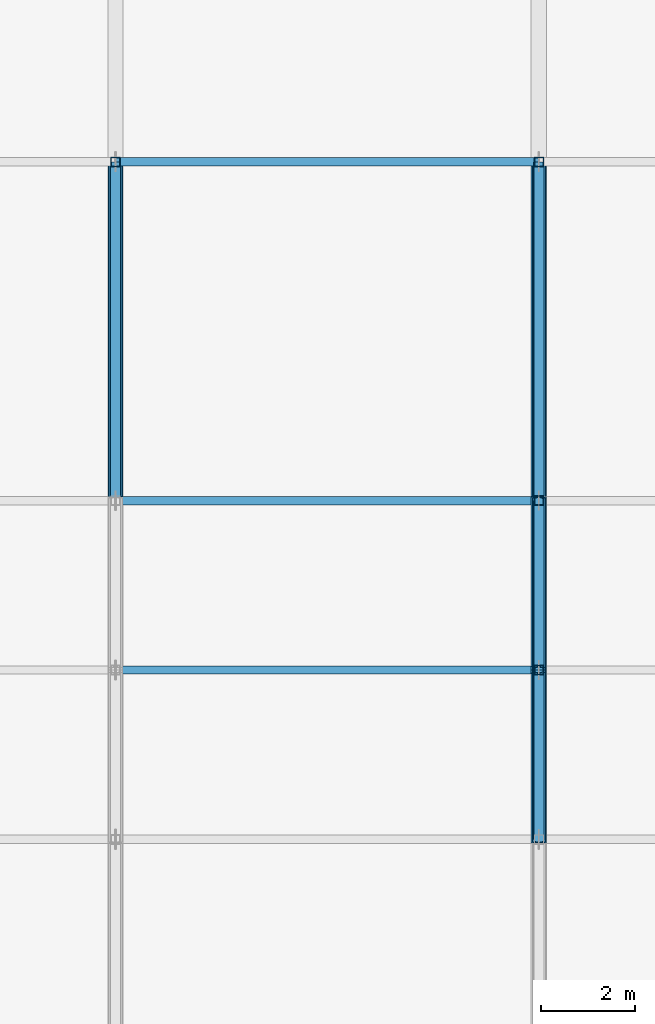
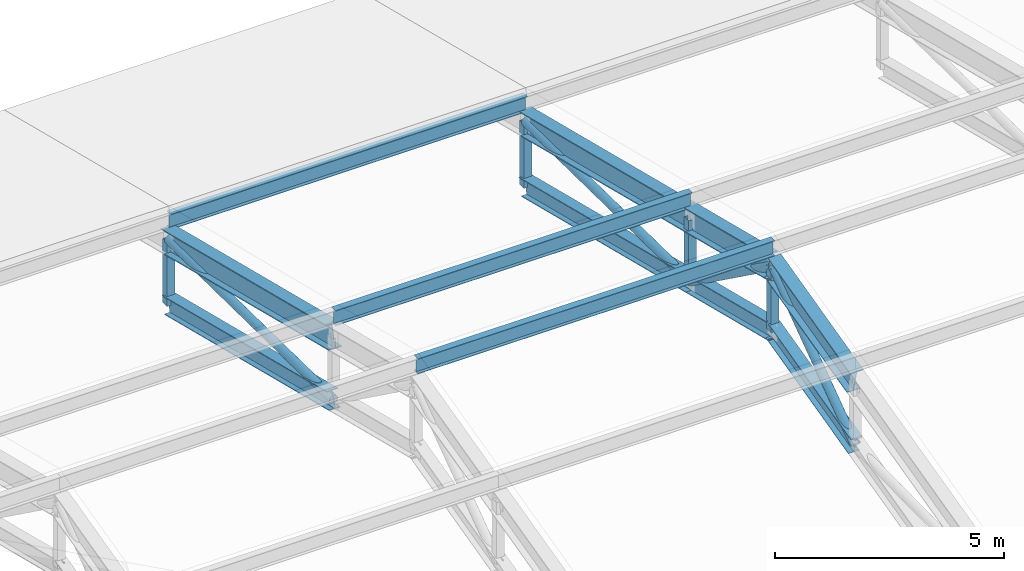
# One storey, part 41 of 124: 19 members.
"""IFC4 building model written with IfcOpenShell, lengths in metres."""

import ifcopenshell
import ifcopenshell.guid

model = None  # the IFC model being written
_history = None  # IfcOwnerHistory: only IFC2X3 demands one
_inside = {}  # id of a spatial element -> (the spatial element, [elements in it])
_under = {}  # id of a project, library or spatial element -> (it, [spatial elements below it])
_declared = {}  # id of a project -> (the project, [libraries it declares])
_typed = {}  # id of a type object -> (the type object, [elements of that type])
_made_of = {}  # id of a material, layer set ... -> (it, [elements and type objects made of it])


def new_model(schema):
    """Start an empty IFC model of exactly this schema.

    Asked for "IFC4X3", IfcOpenShell would pick the latest addendum, in which some entities
    have other attributes; the version numbers below select the first issue.
    IFC2X3 requires an IfcOwnerHistory on every rooted entity: one is made here for all.
    """
    global model, _history
    if schema == "IFC4X3":
        model = ifcopenshell.file(schema_version=(4, 3, 0, 0))
    else:
        model = ifcopenshell.file(schema=schema)
    _inside.clear()
    _under.clear()
    _declared.clear()
    _typed.clear()
    _made_of.clear()
    _history = None
    if model.schema == "IFC2X3":
        org = make("IfcOrganization", Name="unknown")
        user = make(
            "IfcPersonAndOrganization",
            ThePerson=make("IfcPerson", FamilyName="unknown"),
            TheOrganization=org,
        )
        app = make(
            "IfcApplication",
            ApplicationDeveloper=org,
            Version="unknown",
            ApplicationFullName="unknown",
            ApplicationIdentifier="unknown",
        )
        _history = make(
            "IfcOwnerHistory",
            OwningUser=user,
            OwningApplication=app,
            ChangeAction="ADDED",
            CreationDate=0,
        )
    return model


def make(cls, **values):
    """One entity of the class cls with the attributes given. An attribute that is None is left unset."""
    return model.create_entity(
        cls, **{name: value for name, value in values.items() if value is not None}
    )


def rooted(cls, **values):
    """An entity with a GlobalId (a new one), such as an element, a storey or a relation."""
    return make(cls, GlobalId=ifcopenshell.guid.new(), OwnerHistory=_history, **values)


def si_unit(unit_type, name, prefix=None):
    """IfcSIUnit, for example si_unit("LENGTHUNIT", "METRE", prefix="MILLI")."""
    return make("IfcSIUnit", UnitType=unit_type, Prefix=prefix, Name=name)


def assignment(units):
    """IfcUnitAssignment: the units of a project."""
    return None if units is None else make("IfcUnitAssignment", Units=units)


def point(xyz):
    """IfcCartesianPoint."""
    return None if xyz is None else make("IfcCartesianPoint", Coordinates=xyz)


def direction(xyz):
    """IfcDirection."""
    return None if xyz is None else make("IfcDirection", DirectionRatios=xyz)


def frame(location, z_axis=None, x_axis=None):
    """IfcAxis2Placement3D, a coordinate frame: its origin and axes. An axis left out is left unset."""
    return make(
        "IfcAxis2Placement3D",
        Location=point(location),
        Axis=direction(z_axis),
        RefDirection=direction(x_axis),
    )


def frame_2d(location, x_axis=None):
    """IfcAxis2Placement2D, a coordinate frame in the plane: its origin and x axis."""
    return make(
        "IfcAxis2Placement2D", Location=point(location), RefDirection=direction(x_axis)
    )


def origin():
    """The frame at (0, 0, 0) with its axes left unset."""
    return frame((0.0, 0.0, 0.0))


def origin_2d():
    """The frame at (0, 0) in the plane with its x axis left unset."""
    return frame_2d((0.0, 0.0))


def place(relative_to, where):
    """IfcLocalPlacement: puts the frame where relative to a parent placement (None: the world)."""
    return make(
        "IfcLocalPlacement", PlacementRelTo=relative_to, RelativePlacement=where
    )


def context(
    kind, dimensions, precision=None, world=None, true_north=None, identifier=None
):
    """IfcGeometricRepresentationContext, for example the 3D "Model" context."""
    return make(
        "IfcGeometricRepresentationContext",
        ContextIdentifier=identifier,
        ContextType=kind,
        CoordinateSpaceDimension=dimensions,
        Precision=precision,
        WorldCoordinateSystem=world,
        TrueNorth=true_north,
    )


def subcontext(parent, identifier, kind, view, scale=None):
    """IfcGeometricRepresentationSubContext, for example "Body" below "Model"."""
    return make(
        "IfcGeometricRepresentationSubContext",
        ContextIdentifier=identifier,
        ContextType=kind,
        ParentContext=parent,
        TargetScale=scale,
        TargetView=view,
    )


def project(units=None, contexts=None):
    """IfcProject with its units and contexts."""
    return rooted(
        "IfcProject",
        Name="project",
        RepresentationContexts=contexts,
        UnitsInContext=assignment(units),
    )


def spatial(cls, under=None, at=None, **own):
    """A site, building, storey or space (cls), placed at a placement, below another one or the project."""
    s = rooted(cls, ObjectPlacement=at, **own)
    if under is not None:
        _under.setdefault(under.id(), (under, []))[1].append(s)
    return s


def profile(cls, at=None, kind="AREA", **sizes):
    """A parametric profile (cls). Its sizes go by their IFC names, for example OverallWidth=200.0."""
    return make(cls, ProfileType=kind, Position=at, **sizes)


def hollow_rectangle(**sizes):
    """IfcRectangleHollowProfileDef."""
    return profile("IfcRectangleHollowProfileDef", **sizes)


def hollow_circle(**sizes):
    """IfcCircleHollowProfileDef."""
    return profile("IfcCircleHollowProfileDef", **sizes)


def i_section(**sizes):
    """IfcIShapeProfileDef."""
    return profile("IfcIShapeProfileDef", **sizes)


def extrude(swept, where, along, depth):
    """IfcExtrudedAreaSolid: the profile swept, set in the frame where, extruded along a direction by depth."""
    return make(
        "IfcExtrudedAreaSolid",
        SweptArea=swept,
        Position=where,
        ExtrudedDirection=direction(along),
        Depth=depth,
    )


def shape(context_of_items, identifier, shape_type, items):
    """IfcShapeRepresentation: the items that make up one representation, for example the "Body"."""
    return make(
        "IfcShapeRepresentation",
        ContextOfItems=context_of_items,
        RepresentationIdentifier=identifier,
        RepresentationType=shape_type,
        Items=items,
    )


def material(Name=None, Category=None):
    """IfcMaterial."""
    return make("IfcMaterial", Name=Name, Category=Category)


def material_profile(
    of_material, cross_section, Name=None, Category=None, Priority=None
):
    """IfcMaterialProfile: a cross section and its material."""
    return make(
        "IfcMaterialProfile",
        Name=Name,
        Material=of_material,
        Profile=cross_section,
        Priority=Priority,
        Category=Category,
    )


def profile_set(profiles, Name=None, composite=None):
    """IfcMaterialProfileSet."""
    return make(
        "IfcMaterialProfileSet",
        Name=Name,
        MaterialProfiles=profiles,
        CompositeProfile=composite,
    )


def made_of(thing, what):
    """Note that an element or type object is made of a material, layer set ...; save() writes the relation."""
    if what is not None:
        _made_of.setdefault(what.id(), (what, []))[1].append(thing)
    return thing


def type_object(cls, material=None, **own):
    """A type object (cls), such as IfcWallType, which elements share."""
    return made_of(rooted(cls, **own), material)


def element(
    cls,
    number,
    at=None,
    inside=None,
    cuts=None,
    type_object=None,
    material=None,
    context=None,
    identifier="Body",
    shape_type=None,
    held_by="IfcProductDefinitionShape",
    body=None,
    shapes=None,
    **own,
):
    """One element of the class cls, such as IfcWall. Its Tag is "e" and its number.

    at: its placement. inside: the storey or other place that contains it. cuts: it is an
    opening in that element (IfcRelVoidsElement). A single representation is given by context,
    identifier, shape_type and body (its items); several are given by shapes. held_by: the class
    of the entity that holds the representations. save() writes the other relations.
    """
    e = rooted(cls, Tag="e%d" % number, ObjectPlacement=at, **own)
    if body is not None:
        shapes = [shape(context, identifier, shape_type, body)]
    if shapes is not None:
        e.Representation = make(held_by, Representations=shapes)
    if inside is not None:
        _inside.setdefault(inside.id(), (inside, []))[1].append(e)
    if cuts is not None:
        rooted(
            "IfcRelVoidsElement", RelatingBuildingElement=cuts, RelatedOpeningElement=e
        )
    if type_object is not None:
        _typed.setdefault(type_object.id(), (type_object, []))[1].append(e)
    return made_of(e, material)


def aggregate(whole, parts):
    """IfcRelAggregates: a whole, such as a stair, and the parts it consists of."""
    return rooted("IfcRelAggregates", RelatingObject=whole, RelatedObjects=parts)


def save(model, path):
    """Write the relations noted so far, then the file.

    IfcRelAggregates (storeys below a building ...), IfcRelContainedInSpatialStructure (elements
    in a storey), IfcRelDefinesByType, IfcRelAssociatesMaterial and IfcRelDeclares: one each for
    every whole, place, type object, material and project.
    """
    for whole, parts in _under.values():
        aggregate(whole, parts)
    for where, things in _inside.values():
        rooted(
            "IfcRelContainedInSpatialStructure",
            RelatedElements=things,
            RelatingStructure=where,
        )
    for kind, things in _typed.values():
        rooted("IfcRelDefinesByType", RelatedObjects=things, RelatingType=kind)
    for what, things in _made_of.values():
        rooted("IfcRelAssociatesMaterial", RelatedObjects=things, RelatingMaterial=what)
    for by, libraries in _declared.values():
        rooted("IfcRelDeclares", RelatingContext=by, RelatedDefinitions=libraries)
    model.write(path)


model = new_model("IFC4")

# Units and contexts
model_context = context("Model", 3, precision=1e-05, world=origin(), true_north=direction((0.0, 1.0)))
body_context = subcontext(model_context, "Body", "Model", "MODEL_VIEW")
ifc_project = project(units=[si_unit("LENGTHUNIT", "METRE"), si_unit("AREAUNIT", "SQUARE_METRE"), si_unit("VOLUMEUNIT", "CUBIC_METRE"), si_unit("PLANEANGLEUNIT", "RADIAN"), si_unit("MASSUNIT", "GRAM", prefix="KILO")], contexts=[model_context])

# Site, building, storey
site_placement = place(None, origin())
site = spatial("IfcSite", under=ifc_project, at=site_placement, CompositionType="ELEMENT")
building_placement = place(site_placement, origin())
building = spatial("IfcBuilding", under=site, at=building_placement, Name="Celestram Park Convention Centre", CompositionType="ELEMENT")
storey_placement = place(building_placement, frame((0.0, 0.0, 15.300048828125)))
storey = spatial("IfcBuildingStorey", under=building, at=storey_placement, Name="L03", CompositionType="ELEMENT", Elevation=15.300048828125)

# Members
ifc_material_1 = material(Name="Steel ASTM A500 Grade C", Category="steel")
ifc_material_profile_1 = material_profile(ifc_material_1, hollow_circle(Radius=0.109619140625, WallThickness=0.008056640625, at=origin_2d()), Name="CHS219X8")
ifc_profile_set_1 = profile_set([ifc_material_profile_1], Name="Steel ASTM A500 Grade C")
member_type_1 = type_object("IfcMemberType", Name="STR-BRC-CHS219", PredefinedType="BRACE", material=ifc_profile_set_1)
member_1_placement = place(storey_placement, frame((180.0, 21.60009765625, 1.008056640625), z_axis=(0.0, 0.999903373607, -0.013901203187), x_axis=(-1.0, 0.0, 0.0)))
element("IfcMember", 1, at=member_1_placement, inside=storey, type_object=member_type_1, Name="V3 arch web diagonal", PredefinedType="BRACE", context=body_context, shape_type="SweptSolid", body=[
    extrude(hollow_circle(Radius=0.109619140625, WallThickness=0.008056640625, at=origin_2d()), origin(), (0.0, 0.0, 1.0), 7.20068359375),
])
for number, where, z_axis, x_axis, name in (
    (2, (189.0, 14.39990234375, 1.008056640625), (0.0, 0.810702423259, 0.585458436545), (-1.0, 0.0, 0.0), "V3 arch web diagonal"),
    (3, (189.0, 18.0, 3.60791015625), (0.0, 0.810702423259, -0.585458436545), (-1.0, 0.0, 0.0), "V3 arch web diagonal"),
):
    element("IfcMember", number, at=place(storey_placement, frame(where, z_axis=z_axis, x_axis=x_axis)), inside=storey, type_object=member_type_1, Name=name, PredefinedType="BRACE", context=body_context, shape_type="SweptSolid", body=[
        extrude(hollow_circle(Radius=0.109619140625, WallThickness=0.008056640625, at=origin_2d()), origin(), (0.0, 0.0, 1.0), 4.440673828125),
    ])
member_2_placement = place(storey_placement, frame((189.0, 21.60009765625, 1.008056640625), z_axis=(0.0, 0.999903373607, -0.013901203187), x_axis=(-1.0, 0.0, 0.0)))
element("IfcMember", 4, at=member_2_placement, inside=storey, type_object=member_type_1, Name="V3 arch web diagonal", PredefinedType="BRACE", context=body_context, shape_type="SweptSolid", body=[
    extrude(hollow_circle(Radius=0.109619140625, WallThickness=0.008056640625, at=origin_2d()), origin(), (0.0, 0.0, 1.0), 7.20068359375),
])
ifc_material_2 = material(Name="Steel ASTM A992 Grade 50", Category="steel")
ifc_material_profile_2 = material_profile(ifc_material_2, i_section(OverallWidth=0.281982421875, OverallDepth=0.467041015625, WebThickness=0.01220703125, FlangeThickness=0.01953125, at=origin_2d()), Name="W18X86")
ifc_profile_set_2 = profile_set([ifc_material_profile_2], Name="Steel ASTM A992 Grade 50")
member_type_2 = type_object("IfcMemberType", Name="STR-CHD-W18X86", PredefinedType="CHORD", material=ifc_profile_set_2)
member_3_placement = place(storey_placement, frame((180.0, 21.60009765625, 1.008056640625), z_axis=(0.0, 0.970140565046, -0.242543365301), x_axis=(-1.0, 0.0, 0.0)))
element("IfcMember", 5, at=member_3_placement, inside=storey, type_object=member_type_2, Name="V3 arch bottom chord", PredefinedType="CHORD", context=body_context, shape_type="SweptSolid", body=[
    extrude(i_section(OverallWidth=0.281982421875, OverallDepth=0.467041015625, WebThickness=0.01220703125, FlangeThickness=0.01953125, at=origin_2d()), origin(), (0.0, 0.0, 1.0), 7.421630859375),
])
for number, where, z_axis, x_axis, name in (
    (6, (189.0, 14.39990234375, 1.008056640625), (0.0, 0.970150239738, 0.242504664565), (-1.0, 0.0, 0.0), "V3 arch bottom chord"),
    (7, (189.0, 18.0, 1.907958984375), (0.0, 0.970150239738, -0.242504664565), (-1.0, 0.0, 0.0), "V3 arch bottom chord"),
):
    element("IfcMember", number, at=place(storey_placement, frame(where, z_axis=z_axis, x_axis=x_axis)), inside=storey, type_object=member_type_2, Name=name, PredefinedType="CHORD", context=body_context, shape_type="SweptSolid", body=[
        extrude(i_section(OverallWidth=0.281982421875, OverallDepth=0.467041015625, WebThickness=0.01220703125, FlangeThickness=0.01953125, at=origin_2d()), origin(), (0.0, 0.0, 1.0), 3.7109375),
    ])
member_4_placement = place(storey_placement, frame((189.0, 21.60009765625, 1.008056640625), z_axis=(0.0, 0.970140565046, -0.242543365301), x_axis=(-1.0, 0.0, 0.0)))
element("IfcMember", 8, at=member_4_placement, inside=storey, type_object=member_type_2, Name="V3 arch bottom chord", PredefinedType="CHORD", context=body_context, shape_type="SweptSolid", body=[
    extrude(i_section(OverallWidth=0.281982421875, OverallDepth=0.467041015625, WebThickness=0.01220703125, FlangeThickness=0.01953125, at=origin_2d()), origin(), (0.0, 0.0, 1.0), 7.421630859375),
])
ifc_material_profile_3 = material_profile(ifc_material_2, i_section(OverallWidth=0.327880859375, OverallDepth=0.6220703125, WebThickness=0.015380859375, FlangeThickness=0.0244140625, at=origin_2d()), Name="W24X131")
ifc_profile_set_3 = profile_set([ifc_material_profile_3], Name="Steel ASTM A992 Grade 50")
member_type_3 = type_object("IfcMemberType", Name="STR-CHD-W24X131", PredefinedType="CHORD", material=ifc_profile_set_3)
member_5_placement = place(storey_placement, frame((180.0, 21.60009765625, 2.7080078125), z_axis=(0.0, 0.970140565046, -0.242543365301), x_axis=(-1.0, 0.0, 0.0)))
element("IfcMember", 9, at=member_5_placement, inside=storey, type_object=member_type_3, Name="V3 arch top chord", PredefinedType="CHORD", context=body_context, shape_type="SweptSolid", body=[
    extrude(i_section(OverallWidth=0.327880859375, OverallDepth=0.6220703125, WebThickness=0.015380859375, FlangeThickness=0.0244140625, at=origin_2d()), origin(), (0.0, 0.0, 1.0), 7.421630859375),
])
for number, where, z_axis, x_axis, name in (
    (10, (189.0, 14.39990234375, 2.7080078125), (0.0, 0.970150239738, 0.242504664565), (-1.0, 0.0, 0.0), "V3 arch top chord"),
    (11, (189.0, 18.0, 3.60791015625), (0.0, 0.970150239738, -0.242504664565), (-1.0, 0.0, 0.0), "V3 arch top chord"),
):
    element("IfcMember", number, at=place(storey_placement, frame(where, z_axis=z_axis, x_axis=x_axis)), inside=storey, type_object=member_type_3, Name=name, PredefinedType="CHORD", context=body_context, shape_type="SweptSolid", body=[
        extrude(i_section(OverallWidth=0.327880859375, OverallDepth=0.6220703125, WebThickness=0.015380859375, FlangeThickness=0.0244140625, at=origin_2d()), origin(), (0.0, 0.0, 1.0), 3.7109375),
    ])
member_6_placement = place(storey_placement, frame((189.0, 21.60009765625, 2.7080078125), z_axis=(0.0, 0.970140565046, -0.242543365301), x_axis=(-1.0, 0.0, 0.0)))
element("IfcMember", 12, at=member_6_placement, inside=storey, type_object=member_type_3, Name="V3 arch top chord", PredefinedType="CHORD", context=body_context, shape_type="SweptSolid", body=[
    extrude(i_section(OverallWidth=0.327880859375, OverallDepth=0.6220703125, WebThickness=0.015380859375, FlangeThickness=0.0244140625, at=origin_2d()), origin(), (0.0, 0.0, 1.0), 7.421630859375),
])
ifc_material_profile_4 = material_profile(ifc_material_2, i_section(OverallWidth=0.177978515625, OverallDepth=0.406005859375, WebThickness=0.0078125, FlangeThickness=0.0126953125, at=origin_2d()), Name="W16X40")
ifc_profile_set_4 = profile_set([ifc_material_profile_4], Name="Steel ASTM A992 Grade 50")
member_type_4 = type_object("IfcMemberType", Name="STR-RFT-W16X40", PredefinedType="RAFTER", material=ifc_profile_set_4)
for number, where, z_axis, x_axis, name in (
    (13, (180.0, 18.0, 4.1220703125), (1.0, 0.0, 0.0), (0.0, 1.0, 0.0), "V3 roof purlin"),
    (14, (180.0, 21.60009765625, 3.221923828125), (1.0, 0.0, 0.0), (0.0, 1.0, 0.0), "V3 roof purlin"),
    (15, (180.0, 28.800048828125, 1.421875), (1.0, 0.0, 0.0), (0.0, 1.0, 0.0), "V3 roof purlin"),
):
    element("IfcMember", number, at=place(storey_placement, frame(where, z_axis=z_axis, x_axis=x_axis)), inside=storey, type_object=member_type_4, Name=name, PredefinedType="RAFTER", context=body_context, shape_type="SweptSolid", body=[
        extrude(i_section(OverallWidth=0.177978515625, OverallDepth=0.406005859375, WebThickness=0.0078125, FlangeThickness=0.0126953125, at=origin_2d()), origin(), (0.0, 0.0, 1.0), 9.0),
    ])
ifc_material_profile_5 = material_profile(ifc_material_1, hollow_rectangle(XDim=0.199951171875, YDim=0.199951171875, WallThickness=0.010009765625, at=origin_2d()), Name="HSS200X200X10")
ifc_profile_set_5 = profile_set([ifc_material_profile_5], Name="Steel ASTM A500 Grade C")
member_type_5 = type_object("IfcMemberType", Name="STR-STR-HSS200", PredefinedType="STRUT", material=ifc_profile_set_5)
for number, where, z_axis, x_axis, name in (
    (16, (180.0, 28.800048828125, -0.7919921875), (0.0, 0.0, 1.0), (1.0, 0.0, 0.0), "V3 arch vertical strut"),
    (17, (189.0, 18.0, 1.907958984375), (0.0, 0.0, 1.0), (1.0, 0.0, 0.0), "V3 arch vertical strut"),
    (18, (189.0, 21.60009765625, 1.008056640625), (0.0, 0.0, 1.0), (1.0, 0.0, 0.0), "V3 arch vertical strut"),
    (19, (189.0, 28.800048828125, -0.7919921875), (0.0, 0.0, 1.0), (1.0, 0.0, 0.0), "V3 arch vertical strut"),
):
    element("IfcMember", number, at=place(storey_placement, frame(where, z_axis=z_axis, x_axis=x_axis)), inside=storey, type_object=member_type_5, Name=name, PredefinedType="STRUT", context=body_context, shape_type="SweptSolid", body=[
        extrude(hollow_rectangle(XDim=0.199951171875, YDim=0.199951171875, WallThickness=0.010009765625, at=origin_2d()), origin(), (0.0, 0.0, 1.0), 1.699951171875),
    ])

save(model, "model.ifc")
